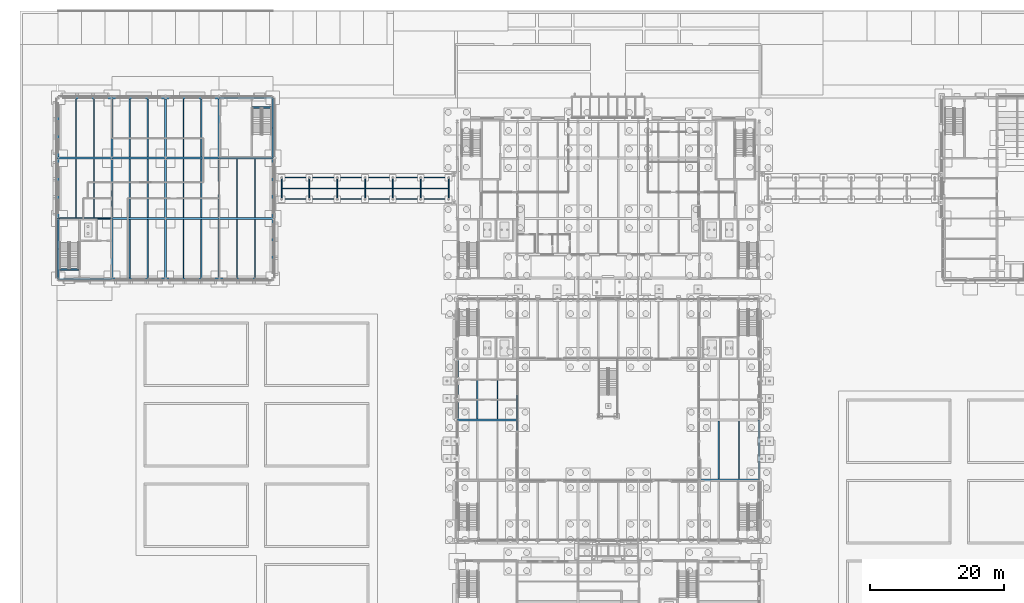
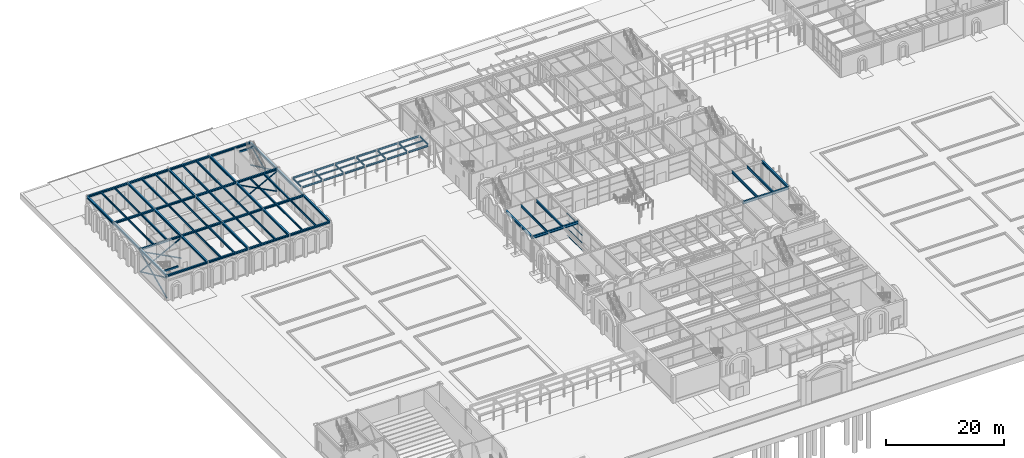
# One storey, part 40 of 126: 86 beams, 12 members, 1 element without a shape of its own.
"""IFC4 building model written with IfcOpenShell, lengths in metres."""

from ifc_helpers import new_model, si_unit, direction, frame, origin, origin_2d, place, context, subcontext, project, spatial, rectangle, hollow_rectangle, i_section, extrude, material, material_profile, profile_set, type_object, element, aggregate, save


model = new_model("IFC4")

# Units and contexts
model_context = context("Model", 3, precision=1e-05, world=origin(), true_north=direction((0.0, 1.0)))
body_context = subcontext(model_context, "Body", "Model", "MODEL_VIEW")
ifc_project = project(units=[si_unit("LENGTHUNIT", "METRE"), si_unit("AREAUNIT", "SQUARE_METRE"), si_unit("VOLUMEUNIT", "CUBIC_METRE"), si_unit("PLANEANGLEUNIT", "RADIAN"), si_unit("MASSUNIT", "GRAM", prefix="KILO")], contexts=[model_context])

# Site, building, storey
site_placement = place(None, origin())
site = spatial("IfcSite", under=ifc_project, at=site_placement, CompositionType="ELEMENT")
building_placement = place(site_placement, origin())
building = spatial("IfcBuilding", under=site, at=building_placement, Name="Kallimachos Central Library", CompositionType="ELEMENT")
storey_placement = place(building_placement, origin())
storey = spatial("IfcBuildingStorey", under=building, at=storey_placement, Name="L00", CompositionType="ELEMENT", Elevation=0.0)

# Curtain wall, members
ifc_material_1 = material(Name="Aluminium and laminated glass", Category="aluminium")
curtain_wall_type = type_object("IfcCurtainWallType", Name="Atrium glazed screen", PredefinedType="NOTDEFINED", material=ifc_material_1)
curtain_wall_placement = place(storey_placement, origin())
curtain_wall = element("IfcCurtainWall", 1, at=curtain_wall_placement, inside=storey, type_object=curtain_wall_type, Name="L00 atrium screen W", PredefinedType="NOTDEFINED")
ifc_material_2 = material(Name="Anodised aluminium", Category="aluminium")
ifc_material_profile_1 = material_profile(ifc_material_2, hollow_rectangle(XDim=0.06005859375, YDim=0.080078125, WallThickness=0.00390625, at=origin_2d()), Name="ALU TRANSOM 60x80")
ifc_profile_set_1 = profile_set([ifc_material_profile_1], Name="Anodised aluminium")
member_type_1 = type_object("IfcMemberType", Name="Atrium screen transom", PredefinedType="USERDEFINED", material=ifc_profile_set_1)
member_1_placement = place(storey_placement, frame((74.419921875, 64.4599609375, 0.030029296875), z_axis=(0.0, 1.0, 0.0), x_axis=(0.0, 0.0, 1.0)))
member_1 = element("IfcMember", 2, at=member_1_placement, type_object=member_type_1, Name="CW transom 1.1", ObjectType="TRANSOM", PredefinedType="USERDEFINED", context=body_context, shape_type="SweptSolid", body=[
    extrude(hollow_rectangle(XDim=0.06005859375, YDim=0.080078125, WallThickness=0.00390625, at=origin_2d()), origin(), (0.0, 0.0, 1.0), 5.2099609375),
])
member_2_placement = place(storey_placement, frame((74.419921875, 64.4599609375, 1.550048828125), z_axis=(0.0, 1.0, 0.0), x_axis=(0.0, 0.0, 1.0)))
member_2 = element("IfcMember", 3, at=member_2_placement, type_object=member_type_1, Name="CW transom 1.2", ObjectType="TRANSOM", PredefinedType="USERDEFINED", context=body_context, shape_type="SweptSolid", body=[
    extrude(hollow_rectangle(XDim=0.06005859375, YDim=0.080078125, WallThickness=0.00390625, at=origin_2d()), origin(), (0.0, 0.0, 1.0), 5.2099609375),
])
member_3_placement = place(storey_placement, frame((74.419921875, 64.4599609375, 3.10009765625), z_axis=(0.0, 1.0, 0.0), x_axis=(0.0, 0.0, 1.0)))
member_3 = element("IfcMember", 4, at=member_3_placement, type_object=member_type_1, Name="CW transom 1.3", ObjectType="TRANSOM", PredefinedType="USERDEFINED", context=body_context, shape_type="SweptSolid", body=[
    extrude(hollow_rectangle(XDim=0.06005859375, YDim=0.080078125, WallThickness=0.00390625, at=origin_2d()), origin(), (0.0, 0.0, 1.0), 5.2099609375),
])
member_4_placement = place(storey_placement, frame((74.419921875, 64.4599609375, 4.6201171875), z_axis=(0.0, 1.0, 0.0), x_axis=(0.0, 0.0, 1.0)))
member_4 = element("IfcMember", 5, at=member_4_placement, type_object=member_type_1, Name="CW transom 1.4", ObjectType="TRANSOM", PredefinedType="USERDEFINED", context=body_context, shape_type="SweptSolid", body=[
    extrude(hollow_rectangle(XDim=0.06005859375, YDim=0.080078125, WallThickness=0.00390625, at=origin_2d()), origin(), (0.0, 0.0, 1.0), 5.2099609375),
])
aggregate(curtain_wall, [member_1, member_2, member_3, member_4])

# Beams
ifc_material_3 = material(Name="Steel S355J2", Category="steel")
ifc_material_profile_2 = material_profile(ifc_material_3, i_section(OverallWidth=0.300048828125, OverallDepth=0.389892578125, WebThickness=0.010986328125, FlangeThickness=0.01904296875, FilletRadius=0.027099609375, at=origin_2d()), Name="HEA 400")
ifc_profile_set_2 = profile_set([ifc_material_profile_2], Name="Steel S355J2")
beam_type_1 = type_object("IfcBeamType", Name="HEA 400 beam", PredefinedType="BEAM", material=ifc_profile_set_2)
for number, where, z_axis, x_axis, name in (
    (6, (6.0, 87.0, 5.054931640625), (1.0, 0.0, 0.0), (0.0, 1.0, 0.0), "V2-BEM-L00-016"),
    (7, (14.0, 87.0, 5.054931640625), (1.0, 0.0, 0.0), (0.0, 1.0, 0.0), "V2-BEM-L00-017"),
    (8, (22.0, 87.0, 5.054931640625), (1.0, 0.0, 0.0), (0.0, 1.0, 0.0), "V2-BEM-L00-018"),
    (9, (30.0, 87.0, 5.054931640625), (1.0, 0.0, 0.0), (0.0, 1.0, 0.0), "V2-BEM-L00-019"),
    (10, (6.0, 96.0, 5.054931640625), (1.0, 0.0, 0.0), (0.0, 1.0, 0.0), "V2-BEM-L00-020"),
    (11, (14.0, 96.0, 5.054931640625), (1.0, 0.0, 0.0), (0.0, 1.0, 0.0), "V2-BEM-L00-021"),
    (12, (22.0, 96.0, 5.054931640625), (1.0, 0.0, 0.0), (0.0, 1.0, 0.0), "V2-BEM-L00-022"),
    (13, (30.0, 96.0, 5.054931640625), (1.0, 0.0, 0.0), (0.0, 1.0, 0.0), "V2-BEM-L00-023"),
    (14, (6.0, 105.0, 5.054931640625), (1.0, 0.0, 0.0), (0.0, 1.0, 0.0), "V2-BEM-L00-024"),
    (15, (14.0, 105.0, 5.054931640625), (1.0, 0.0, 0.0), (0.0, 1.0, 0.0), "V2-BEM-L00-025"),
    (16, (22.0, 105.0, 5.054931640625), (1.0, 0.0, 0.0), (0.0, 1.0, 0.0), "V2-BEM-L00-026"),
    (17, (30.0, 105.0, 5.054931640625), (1.0, 0.0, 0.0), (0.0, 1.0, 0.0), "V2-BEM-L00-027"),
    (18, (6.0, 114.0, 5.054931640625), (1.0, 0.0, 0.0), (0.0, 1.0, 0.0), "V2-BEM-L00-028"),
    (19, (14.0, 114.0, 5.054931640625), (1.0, 0.0, 0.0), (0.0, 1.0, 0.0), "V2-BEM-L00-029"),
    (20, (22.0, 114.0, 5.054931640625), (1.0, 0.0, 0.0), (0.0, 1.0, 0.0), "V2-BEM-L00-030"),
    (21, (30.0, 114.0, 5.054931640625), (1.0, 0.0, 0.0), (0.0, 1.0, 0.0), "V2-BEM-L00-031"),
):
    element("IfcBeam", number, at=place(storey_placement, frame(where, z_axis=z_axis, x_axis=x_axis)), inside=storey, type_object=beam_type_1, Name=name, PredefinedType="BEAM", context=body_context, shape_type="SweptSolid", body=[
        extrude(i_section(OverallWidth=0.300048828125, OverallDepth=0.389892578125, WebThickness=0.010986328125, FlangeThickness=0.01904296875, FilletRadius=0.027099609375, at=origin_2d()), origin(), (0.0, 0.0, 1.0), 8.0),
    ])
ifc_material_4 = material(Name="Steel S355J2", Category="steel")
ifc_material_profile_3 = material_profile(ifc_material_4, i_section(OverallWidth=0.300048828125, OverallDepth=0.43994140625, WebThickness=0.011474609375, FlangeThickness=0.02099609375, FilletRadius=0.027099609375, at=origin_2d()), Name="HEA 450")
ifc_profile_set_3 = profile_set([ifc_material_profile_3], Name="Steel S355J2")
beam_type_2 = type_object("IfcBeamType", Name="HEA 450 beam", PredefinedType="BEAM", material=ifc_profile_set_3)
for number, where, z_axis, x_axis, name in (
    (22, (6.0, 87.0, 5.030029296875), (0.0, 1.0, 0.0), (-1.0, 0.0, 0.0), "V2-BEM-L00-001"),
    (23, (6.0, 96.0, 5.030029296875), (0.0, 1.0, 0.0), (-1.0, 0.0, 0.0), "V2-BEM-L00-002"),
    (24, (6.0, 105.0, 5.030029296875), (0.0, 1.0, 0.0), (-1.0, 0.0, 0.0), "V2-BEM-L00-003"),
    (25, (14.0, 87.0, 5.030029296875), (0.0, 1.0, 0.0), (-1.0, 0.0, 0.0), "V2-BEM-L00-004"),
    (26, (14.0, 96.0, 5.030029296875), (0.0, 1.0, 0.0), (-1.0, 0.0, 0.0), "V2-BEM-L00-005"),
    (27, (14.0, 105.0, 5.030029296875), (0.0, 1.0, 0.0), (-1.0, 0.0, 0.0), "V2-BEM-L00-006"),
    (28, (22.0, 87.0, 5.030029296875), (0.0, 1.0, 0.0), (-1.0, 0.0, 0.0), "V2-BEM-L00-007"),
    (29, (22.0, 96.0, 5.030029296875), (0.0, 1.0, 0.0), (-1.0, 0.0, 0.0), "V2-BEM-L00-008"),
    (30, (22.0, 105.0, 5.030029296875), (0.0, 1.0, 0.0), (-1.0, 0.0, 0.0), "V2-BEM-L00-009"),
    (31, (30.0, 87.0, 5.030029296875), (0.0, 1.0, 0.0), (-1.0, 0.0, 0.0), "V2-BEM-L00-010"),
    (32, (30.0, 96.0, 5.030029296875), (0.0, 1.0, 0.0), (-1.0, 0.0, 0.0), "V2-BEM-L00-011"),
    (33, (30.0, 105.0, 5.030029296875), (0.0, 1.0, 0.0), (-1.0, 0.0, 0.0), "V2-BEM-L00-012"),
    (34, (38.0, 87.0, 5.030029296875), (0.0, 1.0, 0.0), (-1.0, 0.0, 0.0), "V2-BEM-L00-013"),
    (35, (38.0, 96.0, 5.030029296875), (0.0, 1.0, 0.0), (-1.0, 0.0, 0.0), "V2-BEM-L00-014"),
    (36, (38.0, 105.0, 5.030029296875), (0.0, 1.0, 0.0), (-1.0, 0.0, 0.0), "V2-BEM-L00-015"),
):
    element("IfcBeam", number, at=place(storey_placement, frame(where, z_axis=z_axis, x_axis=x_axis)), inside=storey, type_object=beam_type_2, Name=name, PredefinedType="BEAM", context=body_context, shape_type="SweptSolid", body=[
        extrude(i_section(OverallWidth=0.300048828125, OverallDepth=0.43994140625, WebThickness=0.011474609375, FlangeThickness=0.02099609375, FilletRadius=0.027099609375, at=origin_2d()), origin(), (0.0, 0.0, 1.0), 9.0),
    ])
ifc_material_5 = material(Name="Steel S355J2", Category="steel")
ifc_material_profile_4 = material_profile(ifc_material_5, i_section(OverallWidth=0.300048828125, OverallDepth=0.550048828125, WebThickness=0.014892578125, FlangeThickness=0.029052734375, FilletRadius=0.027099609375, at=origin_2d()), Name="HEB 550")
ifc_profile_set_4 = profile_set([ifc_material_profile_4], Name="Steel S355J2")
beam_type_3 = type_object("IfcBeamType", Name="HEB 550 beam", PredefinedType="BEAM", material=ifc_profile_set_4)
for number, where, z_axis, x_axis, name in (
    (37, (65.5, 66.0, 4.925048828125), (1.0, 0.0, 0.0), (0.0, 1.0, 0.0), "V4-BEM-L00-022"),
    (38, (65.5, 66.0, 4.925048828125), (0.0, 1.0, 0.0), (-1.0, 0.0, 0.0), "V4-BEM-L00-024"),
    (39, (101.5, 57.0, 4.925048828125), (1.0, 0.0, 0.0), (0.0, 1.0, 0.0), "V4-BEM-L00-031"),
    (40, (110.5, 57.0, 4.925048828125), (0.0, 1.0, 0.0), (-1.0, 0.0, 0.0), "V4-BEM-L00-035"),
):
    element("IfcBeam", number, at=place(storey_placement, frame(where, z_axis=z_axis, x_axis=x_axis)), inside=storey, type_object=beam_type_3, Name=name, PredefinedType="BEAM", context=body_context, shape_type="SweptSolid", body=[
        extrude(i_section(OverallWidth=0.300048828125, OverallDepth=0.550048828125, WebThickness=0.014892578125, FlangeThickness=0.029052734375, FilletRadius=0.027099609375, at=origin_2d()), origin(), (0.0, 0.0, 1.0), 9.0),
    ])
ifc_material_6 = material(Name="Steel S355J2", Category="steel")
ifc_material_profile_5 = material_profile(ifc_material_6, i_section(OverallWidth=0.10009765625, OverallDepth=0.199951171875, WebThickness=0.005615234375, FlangeThickness=0.008544921875, FilletRadius=0.011962890625, at=origin_2d()), Name="IPE 200")
ifc_profile_set_5 = profile_set([ifc_material_profile_5], Name="Steel S355J2")
beam_type_4 = type_object("IfcBeamType", Name="IPE 200 beam", PredefinedType="BEAM", material=ifc_profile_set_5)
for number, where, z_axis, x_axis, name in (
    (41, (39.375, 100.5, 4.550048828125), (1.0, 0.0, 0.0), (0.0, 1.0, 0.0), "links-BEM-L00-029"),
    (42, (43.52490234375, 100.5, 4.550048828125), (1.0, 0.0, 0.0), (0.0, 1.0, 0.0), "links-BEM-L00-030"),
    (43, (47.675048828125, 100.5, 4.550048828125), (1.0, 0.0, 0.0), (0.0, 1.0, 0.0), "links-BEM-L00-031"),
    (44, (51.824951171875, 100.5, 4.550048828125), (1.0, 0.0, 0.0), (0.0, 1.0, 0.0), "links-BEM-L00-032"),
    (45, (55.97509765625, 100.5, 4.550048828125), (1.0, 0.0, 0.0), (0.0, 1.0, 0.0), "links-BEM-L00-033"),
    (46, (60.125, 100.5, 4.550048828125), (1.0, 0.0, 0.0), (0.0, 1.0, 0.0), "links-BEM-L00-034"),
):
    element("IfcBeam", number, at=place(storey_placement, frame(where, z_axis=z_axis, x_axis=x_axis)), inside=storey, type_object=beam_type_4, Name=name, PredefinedType="BEAM", context=body_context, shape_type="SweptSolid", body=[
        extrude(i_section(OverallWidth=0.10009765625, OverallDepth=0.199951171875, WebThickness=0.005615234375, FlangeThickness=0.008544921875, FilletRadius=0.011962890625, at=origin_2d()), origin(), (0.0, 0.0, 1.0), 4.0),
    ])
ifc_material_7 = material(Name="Steel S355J2", Category="steel")
ifc_material_profile_6 = material_profile(ifc_material_7, i_section(OverallWidth=0.14990234375, OverallDepth=0.300048828125, WebThickness=0.007080078125, FlangeThickness=0.0107421875, FilletRadius=0.014892578125, at=origin_2d()), Name="IPE 300")
ifc_profile_set_6 = profile_set([ifc_material_profile_6], Name="Steel S355J2")
beam_type_5 = type_object("IfcBeamType", Name="IPE 300 beam", PredefinedType="BEAM", material=ifc_profile_set_6)
for number, where, z_axis, x_axis, name in (
    (47, (39.300048828125, 99.03662109375, 4.5), (0.0, 1.0, 0.0), (-1.0, 0.0, 0.0), "links-BEM-L00-022"),
    (48, (43.449951171875, 99.03662109375, 4.5), (0.0, 1.0, 0.0), (-1.0, 0.0, 0.0), "links-BEM-L00-023"),
    (49, (47.60009765625, 99.03662109375, 4.5), (0.0, 1.0, 0.0), (-1.0, 0.0, 0.0), "links-BEM-L00-024"),
    (50, (51.75, 99.03662109375, 4.5), (0.0, 1.0, 0.0), (-1.0, 0.0, 0.0), "links-BEM-L00-025"),
    (51, (55.89990234375, 99.03662109375, 4.5), (0.0, 1.0, 0.0), (-1.0, 0.0, 0.0), "links-BEM-L00-026"),
    (52, (60.050048828125, 99.03662109375, 4.5), (0.0, 1.0, 0.0), (-1.0, 0.0, 0.0), "links-BEM-L00-027"),
    (53, (64.199951171875, 99.03662109375, 4.5), (0.0, 1.0, 0.0), (-1.0, 0.0, 0.0), "links-BEM-L00-028"),
):
    element("IfcBeam", number, at=place(storey_placement, frame(where, z_axis=z_axis, x_axis=x_axis)), inside=storey, type_object=beam_type_5, Name=name, PredefinedType="BEAM", context=body_context, shape_type="SweptSolid", body=[
        extrude(i_section(OverallWidth=0.14990234375, OverallDepth=0.300048828125, WebThickness=0.007080078125, FlangeThickness=0.0107421875, FilletRadius=0.014892578125, at=origin_2d()), origin(), (0.0, 0.0, 1.0), 2.9267578125),
    ])
ifc_material_8 = material(Name="Steel S355J2", Category="steel")
ifc_material_profile_7 = material_profile(ifc_material_8, i_section(OverallWidth=0.169921875, OverallDepth=0.360107421875, WebThickness=0.008056640625, FlangeThickness=0.0126953125, FilletRadius=0.01806640625, at=origin_2d()), Name="IPE 360")
ifc_profile_set_7 = profile_set([ifc_material_profile_7], Name="Steel S355J2")
beam_type_6 = type_object("IfcBeamType", Name="IPE 360 beam", PredefinedType="BEAM", material=ifc_profile_set_7)
for number, where, z_axis, x_axis, name in (
    (54, (39.4365234375, 98.89990234375, 4.469970703125), (1.0, 0.0, 0.0), (0.0, 1.0, 0.0), "links-BEM-L00-010"),
    (55, (43.58642578125, 98.89990234375, 4.469970703125), (1.0, 0.0, 0.0), (0.0, 1.0, 0.0), "links-BEM-L00-011"),
    (56, (47.736572265625, 98.89990234375, 4.469970703125), (1.0, 0.0, 0.0), (0.0, 1.0, 0.0), "links-BEM-L00-012"),
    (57, (51.886474609375, 98.89990234375, 4.469970703125), (1.0, 0.0, 0.0), (0.0, 1.0, 0.0), "links-BEM-L00-013"),
    (58, (56.03662109375, 98.89990234375, 4.469970703125), (1.0, 0.0, 0.0), (0.0, 1.0, 0.0), "links-BEM-L00-014"),
    (59, (60.1865234375, 98.89990234375, 4.469970703125), (1.0, 0.0, 0.0), (0.0, 1.0, 0.0), "links-BEM-L00-015"),
    (60, (39.4365234375, 102.10009765625, 4.469970703125), (1.0, 0.0, 0.0), (0.0, 1.0, 0.0), "links-BEM-L00-016"),
    (61, (43.58642578125, 102.10009765625, 4.469970703125), (1.0, 0.0, 0.0), (0.0, 1.0, 0.0), "links-BEM-L00-017"),
    (62, (47.736572265625, 102.10009765625, 4.469970703125), (1.0, 0.0, 0.0), (0.0, 1.0, 0.0), "links-BEM-L00-018"),
    (63, (51.886474609375, 102.10009765625, 4.469970703125), (1.0, 0.0, 0.0), (0.0, 1.0, 0.0), "links-BEM-L00-019"),
    (64, (56.03662109375, 102.10009765625, 4.469970703125), (1.0, 0.0, 0.0), (0.0, 1.0, 0.0), "links-BEM-L00-020"),
    (65, (60.1865234375, 102.10009765625, 4.469970703125), (1.0, 0.0, 0.0), (0.0, 1.0, 0.0), "links-BEM-L00-021"),
):
    element("IfcBeam", number, at=place(storey_placement, frame(where, z_axis=z_axis, x_axis=x_axis)), inside=storey, type_object=beam_type_6, Name=name, PredefinedType="BEAM", context=body_context, shape_type="SweptSolid", body=[
        extrude(i_section(OverallWidth=0.169921875, OverallDepth=0.360107421875, WebThickness=0.008056640625, FlangeThickness=0.0126953125, FilletRadius=0.01806640625, at=origin_2d()), origin(), (0.0, 0.0, 1.0), 3.876953125),
    ])
ifc_material_9 = material(Name="Steel S355J2", Category="steel")
ifc_material_profile_8 = material_profile(ifc_material_9, i_section(OverallWidth=0.179931640625, OverallDepth=0.39990234375, WebThickness=0.008544921875, FlangeThickness=0.013427734375, FilletRadius=0.02099609375, at=origin_2d()), Name="IPE 400")
ifc_profile_set_8 = profile_set([ifc_material_profile_8], Name="Steel S355J2")
beam_type_7 = type_object("IfcBeamType", Name="IPE 400 beam", PredefinedType="BEAM", material=ifc_profile_set_8)
for number, where, z_axis, x_axis, name in (
    (66, (8.666748046875, 96.14990234375, 5.050048828125), (0.0, 1.0, 0.0), (-1.0, 0.0, 0.0), "V2-BEM-L00-032"),
    (67, (11.333251953125, 96.14990234375, 5.050048828125), (0.0, 1.0, 0.0), (-1.0, 0.0, 0.0), "V2-BEM-L00-033"),
    (68, (8.666748046875, 105.14990234375, 5.050048828125), (0.0, 1.0, 0.0), (-1.0, 0.0, 0.0), "V2-BEM-L00-034"),
    (69, (11.333251953125, 105.14990234375, 5.050048828125), (0.0, 1.0, 0.0), (-1.0, 0.0, 0.0), "V2-BEM-L00-035"),
    (70, (16.666748046875, 87.14990234375, 5.050048828125), (0.0, 1.0, 0.0), (-1.0, 0.0, 0.0), "V2-BEM-L00-036"),
    (71, (19.333251953125, 87.14990234375, 5.050048828125), (0.0, 1.0, 0.0), (-1.0, 0.0, 0.0), "V2-BEM-L00-037"),
    (72, (16.666748046875, 96.14990234375, 5.050048828125), (0.0, 1.0, 0.0), (-1.0, 0.0, 0.0), "V2-BEM-L00-038"),
    (73, (19.333251953125, 96.14990234375, 5.050048828125), (0.0, 1.0, 0.0), (-1.0, 0.0, 0.0), "V2-BEM-L00-039"),
    (74, (16.666748046875, 105.14990234375, 5.050048828125), (0.0, 1.0, 0.0), (-1.0, 0.0, 0.0), "V2-BEM-L00-040"),
    (75, (19.333251953125, 105.14990234375, 5.050048828125), (0.0, 1.0, 0.0), (-1.0, 0.0, 0.0), "V2-BEM-L00-041"),
    (76, (24.666748046875, 87.14990234375, 5.050048828125), (0.0, 1.0, 0.0), (-1.0, 0.0, 0.0), "V2-BEM-L00-042"),
    (77, (27.333251953125, 87.14990234375, 5.050048828125), (0.0, 1.0, 0.0), (-1.0, 0.0, 0.0), "V2-BEM-L00-043"),
    (78, (24.666748046875, 96.14990234375, 5.050048828125), (0.0, 1.0, 0.0), (-1.0, 0.0, 0.0), "V2-BEM-L00-044"),
    (79, (27.333251953125, 96.14990234375, 5.050048828125), (0.0, 1.0, 0.0), (-1.0, 0.0, 0.0), "V2-BEM-L00-045"),
    (80, (24.666748046875, 105.14990234375, 5.050048828125), (0.0, 1.0, 0.0), (-1.0, 0.0, 0.0), "V2-BEM-L00-046"),
    (81, (27.333251953125, 105.14990234375, 5.050048828125), (0.0, 1.0, 0.0), (-1.0, 0.0, 0.0), "V2-BEM-L00-047"),
    (82, (32.666748046875, 87.14990234375, 5.050048828125), (0.0, 1.0, 0.0), (-1.0, 0.0, 0.0), "V2-BEM-L00-048"),
    (83, (35.333251953125, 87.14990234375, 5.050048828125), (0.0, 1.0, 0.0), (-1.0, 0.0, 0.0), "V2-BEM-L00-049"),
    (84, (32.666748046875, 96.14990234375, 5.050048828125), (0.0, 1.0, 0.0), (-1.0, 0.0, 0.0), "V2-BEM-L00-050"),
    (85, (35.333251953125, 96.14990234375, 5.050048828125), (0.0, 1.0, 0.0), (-1.0, 0.0, 0.0), "V2-BEM-L00-051"),
):
    element("IfcBeam", number, at=place(storey_placement, frame(where, z_axis=z_axis, x_axis=x_axis)), inside=storey, type_object=beam_type_7, Name=name, PredefinedType="BEAM", context=body_context, shape_type="SweptSolid", body=[
        extrude(i_section(OverallWidth=0.179931640625, OverallDepth=0.39990234375, WebThickness=0.008544921875, FlangeThickness=0.013427734375, FilletRadius=0.02099609375, at=origin_2d()), origin(), (0.0, 0.0, 1.0), 8.7001953125),
    ])
ifc_material_10 = material(Name="Steel S355J2", Category="steel")
ifc_material_profile_9 = material_profile(ifc_material_10, i_section(OverallWidth=0.199951171875, OverallDepth=0.5, WebThickness=0.01025390625, FlangeThickness=0.01611328125, FilletRadius=0.02099609375, at=origin_2d()), Name="IPE 500")
ifc_profile_set_9 = profile_set([ifc_material_profile_9], Name="Steel S355J2")
beam_type_8 = type_object("IfcBeamType", Name="IPE 500 beam", PredefinedType="BEAM", material=ifc_profile_set_9)
for number, where, z_axis, x_axis, name in (
    (86, (68.5, 66.14990234375, 4.949951171875), (0.0, 1.0, 0.0), (-1.0, 0.0, 0.0), "V4-BEM-L00-029"),
    (87, (71.5, 66.14990234375, 4.949951171875), (0.0, 1.0, 0.0), (-1.0, 0.0, 0.0), "V4-BEM-L00-030"),
):
    element("IfcBeam", number, at=place(storey_placement, frame(where, z_axis=z_axis, x_axis=x_axis)), inside=storey, type_object=beam_type_8, Name=name, PredefinedType="BEAM", context=body_context, shape_type="SweptSolid", body=[
        extrude(i_section(OverallWidth=0.199951171875, OverallDepth=0.5, WebThickness=0.01025390625, FlangeThickness=0.01611328125, FilletRadius=0.02099609375, at=origin_2d()), origin(), (0.0, 0.0, 1.0), 8.85009765625),
    ])
for number, where, z_axis, x_axis, name in (
    (88, (104.5, 57.14990234375, 4.949951171875), (0.0, 1.0, 0.0), (-1.0, 0.0, 0.0), "V4-BEM-L00-037"),
    (89, (107.5, 57.14990234375, 4.949951171875), (0.0, 1.0, 0.0), (-1.0, 0.0, 0.0), "V4-BEM-L00-038"),
):
    element("IfcBeam", number, at=place(storey_placement, frame(where, z_axis=z_axis, x_axis=x_axis)), inside=storey, type_object=beam_type_8, Name=name, PredefinedType="BEAM", context=body_context, shape_type="SweptSolid", body=[
        extrude(i_section(OverallWidth=0.199951171875, OverallDepth=0.5, WebThickness=0.01025390625, FlangeThickness=0.01611328125, FilletRadius=0.02099609375, at=origin_2d()), origin(), (0.0, 0.0, 1.0), 8.7001953125),
    ])
ifc_material_11 = material(Name="Concrete C30/37", Category="concrete")
ifc_material_profile_10 = material_profile(ifc_material_11, rectangle(XDim=0.260009765625, YDim=0.300048828125, at=origin_2d()), Name="RC stair trimmer beam 260 x 300")
ifc_profile_set_10 = profile_set([ifc_material_profile_10], Name="Concrete C30/37")
beam_type_9 = type_object("IfcBeamType", Name="RC stair trimmer beam 260 x 300", PredefinedType="BEAM", material=ifc_profile_set_10)
for number, where, z_axis, x_axis, name in (
    (90, (9.050048828125, 88.424072265625, 5.10009765625), (-1.0, 0.0, 0.0), (0.0, -1.0, 0.0), "Stair trimmer beam ST5 L00"),
    (91, (34.949951171875, 112.575927734375, 5.10009765625), (1.0, 0.0, 0.0), (0.0, 1.0, 0.0), "Stair trimmer beam ST6 L00"),
):
    element("IfcBeam", number, at=place(storey_placement, frame(where, z_axis=z_axis, x_axis=x_axis)), inside=storey, type_object=beam_type_9, Name=name, PredefinedType="BEAM", context=body_context, shape_type="SweptSolid", body=[
        extrude(rectangle(XDim=0.260009765625, YDim=0.300048828125, at=origin_2d()), origin(), (0.0, 0.0, 1.0), 2.85009765625),
    ])

# Members
ifc_material_12 = material(Name="Steel S355J2H", Category="steel")
ifc_material_profile_11 = material_profile(ifc_material_12, hollow_rectangle(XDim=0.199951171875, YDim=0.199951171875, WallThickness=0.012451171875, InnerFilletRadius=0.012451171875, OuterFilletRadius=0.018798828125, at=origin_2d()), Name="SHS 200x200x12.5")
ifc_profile_set_11 = profile_set([ifc_material_profile_11], Name="Steel S355J2H")
member_type_2 = type_object("IfcMemberType", Name="SHS 200x200x12.5 brace", PredefinedType="BRACE", material=ifc_profile_set_11)
for number, where, z_axis, x_axis, name in (
    (92, (6.0, 87.0, 0.449951171875), (0.0, 0.906185023996, 0.422881428163), (-1.0, 0.0, 0.0), "V2-MEM-L00-001"),
    (93, (6.0, 87.0, 4.64990234375), (0.0, 0.906185023996, -0.422881428163), (-1.0, 0.0, 0.0), "V2-MEM-L00-002"),
):
    element("IfcMember", number, at=place(storey_placement, frame(where, z_axis=z_axis, x_axis=x_axis)), inside=storey, type_object=member_type_2, Name=name, PredefinedType="BRACE", context=body_context, shape_type="SweptSolid", body=[
        extrude(hollow_rectangle(XDim=0.199951171875, YDim=0.199951171875, WallThickness=0.012451171875, InnerFilletRadius=0.012451171875, OuterFilletRadius=0.018798828125, at=origin_2d()), origin(), (0.0, 0.0, 1.0), 9.931640625),
    ])
for number, where, z_axis, x_axis, name in (
    (94, (6.0, 96.0, 0.449951171875), (0.885400126936, 0.0, 0.464829662588), (0.0, 1.0, 0.0), "V2-MEM-L00-003"),
    (95, (6.0, 96.0, 4.64990234375), (0.885400126936, 0.0, -0.464829662588), (0.0, 1.0, 0.0), "V2-MEM-L00-004"),
):
    element("IfcMember", number, at=place(storey_placement, frame(where, z_axis=z_axis, x_axis=x_axis)), inside=storey, type_object=member_type_2, Name=name, PredefinedType="BRACE", context=body_context, shape_type="SweptSolid", body=[
        extrude(hollow_rectangle(XDim=0.199951171875, YDim=0.199951171875, WallThickness=0.012451171875, InnerFilletRadius=0.012451171875, OuterFilletRadius=0.018798828125, at=origin_2d()), origin(), (0.0, 0.0, 1.0), 9.035400390625),
    ])
for number, where, z_axis, x_axis, name in (
    (96, (38.0, 105.0, 0.449951171875), (0.0, 0.906185023996, 0.422881428163), (-1.0, 0.0, 0.0), "V2-MEM-L00-005"),
    (97, (38.0, 105.0, 4.64990234375), (0.0, 0.906185023996, -0.422881428163), (-1.0, 0.0, 0.0), "V2-MEM-L00-006"),
):
    element("IfcMember", number, at=place(storey_placement, frame(where, z_axis=z_axis, x_axis=x_axis)), inside=storey, type_object=member_type_2, Name=name, PredefinedType="BRACE", context=body_context, shape_type="SweptSolid", body=[
        extrude(hollow_rectangle(XDim=0.199951171875, YDim=0.199951171875, WallThickness=0.012451171875, InnerFilletRadius=0.012451171875, OuterFilletRadius=0.018798828125, at=origin_2d()), origin(), (0.0, 0.0, 1.0), 9.931640625),
    ])
for number, where, z_axis, x_axis, name in (
    (98, (30.0, 105.0, 0.449951171875), (0.885400126936, 0.0, 0.464829662588), (0.0, 1.0, 0.0), "V2-MEM-L00-007"),
    (99, (30.0, 105.0, 4.64990234375), (0.885400126936, 0.0, -0.464829662588), (0.0, 1.0, 0.0), "V2-MEM-L00-008"),
):
    element("IfcMember", number, at=place(storey_placement, frame(where, z_axis=z_axis, x_axis=x_axis)), inside=storey, type_object=member_type_2, Name=name, PredefinedType="BRACE", context=body_context, shape_type="SweptSolid", body=[
        extrude(hollow_rectangle(XDim=0.199951171875, YDim=0.199951171875, WallThickness=0.012451171875, InnerFilletRadius=0.012451171875, OuterFilletRadius=0.018798828125, at=origin_2d()), origin(), (0.0, 0.0, 1.0), 9.035400390625),
    ])

save(model, "model.ifc")
